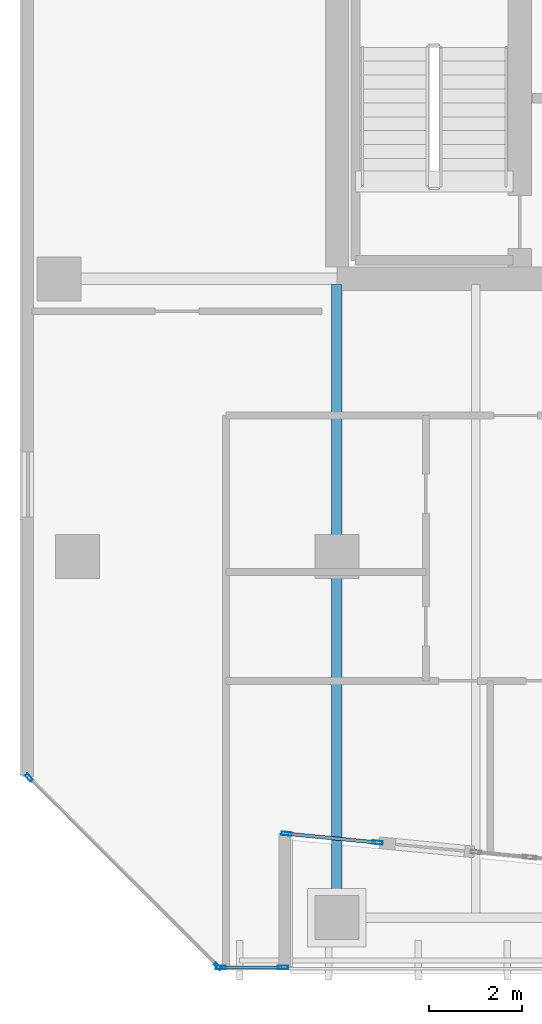
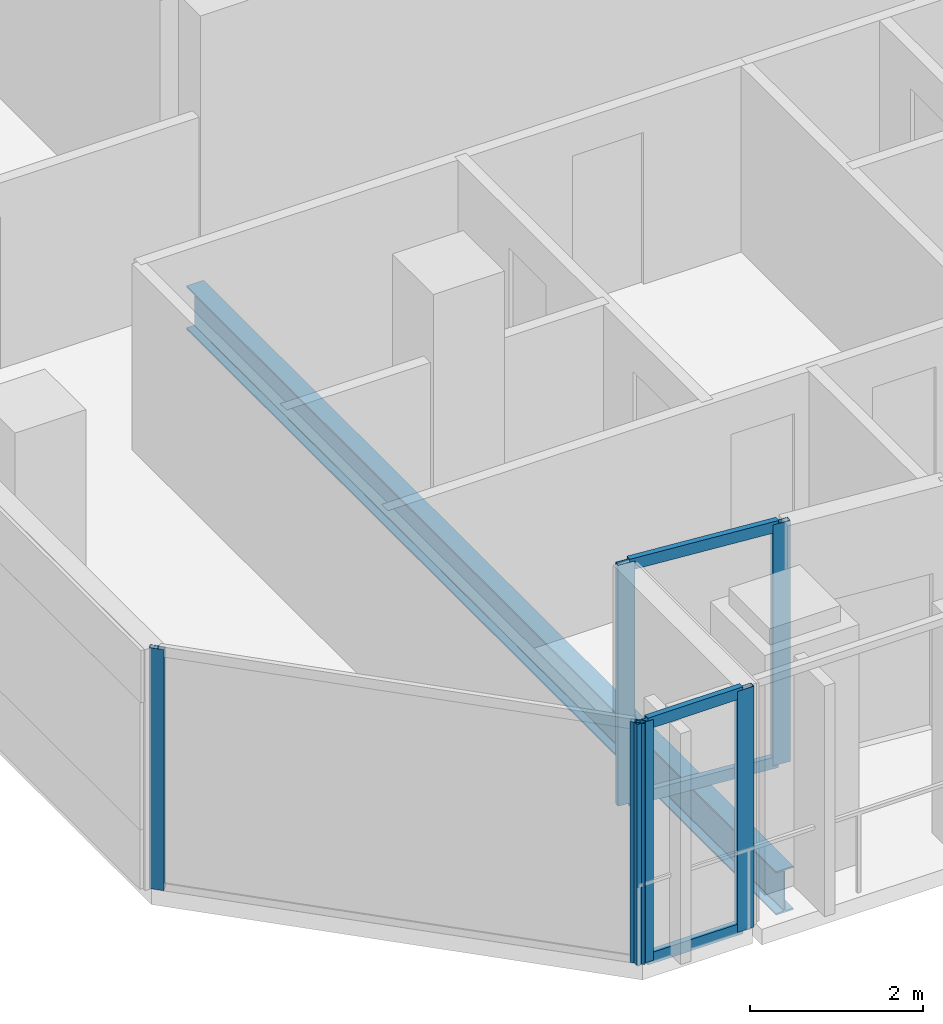
# One storey, part 2 of 39: 10 members, 1 beam, 3 elements without a shape of their own.
"""IFC4 building model written with IfcOpenShell, lengths in metres."""

from ifc_helpers import new_model, si_unit, direction, frame, origin, origin_2d, place, context, subcontext, project, spatial, hollow_rectangle, i_section, extrude, material, layer, layer_set, material_profile, profile_set, type_object, element, aggregate, save


model = new_model("IFC4")

# Units and contexts
model_context = context("Model", 3, precision=1e-05, world=origin(), true_north=direction((0.0, 1.0)))
body_context = subcontext(model_context, "Body", "Model", "MODEL_VIEW")
ifc_project = project(units=[si_unit("LENGTHUNIT", "METRE"), si_unit("AREAUNIT", "SQUARE_METRE"), si_unit("VOLUMEUNIT", "CUBIC_METRE"), si_unit("PLANEANGLEUNIT", "RADIAN"), si_unit("MASSUNIT", "GRAM", prefix="KILO")], contexts=[model_context])

# Site, building, storey
site_placement = place(None, origin())
site = spatial("IfcSite", under=ifc_project, at=site_placement, CompositionType="ELEMENT")
building_placement = place(site_placement, origin())
building = spatial("IfcBuilding", under=site, at=building_placement, Name="Tanjung Sevakor Pilgrim Tower", CompositionType="ELEMENT")
storey_placement = place(building_placement, frame((0.0, 0.0, 108.570068359375)))
storey = spatial("IfcBuildingStorey", under=building, at=storey_placement, Name="L30", CompositionType="ELEMENT", Elevation=108.570068359375)

# Beam
ifc_material_1 = material(Name="Steel S355J2", Category="steel")
ifc_material_profile_1 = material_profile(ifc_material_1, i_section(OverallWidth=0.230224609375, OverallDepth=0.6171875, WebThickness=0.01318359375, FlangeThickness=0.022216796875, FilletRadius=0.0126953125, at=origin_2d()))
ifc_profile_set_1 = profile_set([ifc_material_profile_1], Name="Steel S355J2")
beam_type = type_object("IfcBeamType", Name="BM-B-G3-UB_610x229x140", PredefinedType="BEAM", material=ifc_profile_set_1)
beam_placement = place(storey_placement, frame((24.0, 10.800048828125, -0.528564453125), z_axis=(0.0, 1.0, 0.0), x_axis=(-1.0, 0.0, 0.0)))
element("IfcBeam", 1, at=beam_placement, inside=storey, type_object=beam_type, Name="L30 MAIN Girder 001", PredefinedType="BEAM", context=body_context, shape_type="SweptSolid", body=[
    extrude(i_section(OverallWidth=0.230224609375, OverallDepth=0.6171875, WebThickness=0.01318359375, FlangeThickness=0.022216796875, FilletRadius=0.0126953125, at=origin_2d()), origin(), (0.0, 0.0, 1.0), 13.672607421875),
])

# Curtain wall, members
ifc_material_2 = material(Name="Aluminium 6063-T6 and Low-E Glass", Category="aluminium")
ifc_layer_1 = layer(ifc_material_2, 0.179931640625)
ifc_layer_set_1 = layer_set([ifc_layer_1], Name="CW-SYS-CHAM")
curtain_wall_type_1 = type_object("IfcCurtainWallType", Name="CW-SYS-CHAM", PredefinedType="NOTDEFINED", material=ifc_layer_set_1)
curtain_wall_1_placement = place(storey_placement, origin())
curtain_wall_1 = element("IfcCurtainWall", 2, at=curtain_wall_1_placement, inside=storey, type_object=curtain_wall_type_1, Name="L30 Curtain Wall CW-CHM-L30-MAIN-35", PredefinedType="NOTDEFINED")
ifc_material_3 = material(Name="Aluminium 6063-T6", Category="aluminium")
ifc_material_profile_2 = material_profile(ifc_material_3, hollow_rectangle(XDim=0.06494140625, YDim=0.179931640625, WallThickness=0.00390625, at=origin_2d()))
ifc_profile_set_2 = profile_set([ifc_material_profile_2], Name="Aluminium 6063-T6")
member_type_1 = type_object("IfcMemberType", Name="TYPE-CWM-1", PredefinedType="MULLION", material=ifc_profile_set_2)
member_1_placement = place(storey_placement, frame((17.347900390625, 13.828857421875, 0.0), z_axis=(0.0, 0.0, 1.0), x_axis=(0.707106781187, 0.707106781187, 0.0)))
member_1 = element("IfcMember", 3, at=member_1_placement, type_object=member_type_1, Name="CW-CHM mullion 1", PredefinedType="MULLION", context=body_context, shape_type="SweptSolid", body=[
    extrude(hollow_rectangle(XDim=0.06494140625, YDim=0.179931640625, WallThickness=0.00390625, at=origin_2d()), origin(), (0.0, 0.0, 1.0), 3.409912109375),
])
member_2_placement = place(storey_placement, frame((21.4287109375, 9.748046875, 0.0), z_axis=(0.0, 0.0, 1.0), x_axis=(0.707106781187, 0.707106781187, 0.0)))
member_2 = element("IfcMember", 4, at=member_2_placement, type_object=member_type_1, Name="CW-CHM mullion 2", PredefinedType="MULLION", context=body_context, shape_type="SweptSolid", body=[
    extrude(hollow_rectangle(XDim=0.06494140625, YDim=0.179931640625, WallThickness=0.00390625, at=origin_2d()), origin(), (0.0, 0.0, 1.0), 3.409912109375),
])
aggregate(curtain_wall_1, [member_1, member_2])

ifc_material_4 = material(Name="Aluminium 6063-T6 and Low-E Glass", Category="aluminium")
ifc_layer_2 = layer(ifc_material_4, 0.199951171875)
ifc_layer_set_2 = layer_set([ifc_layer_2], Name="CW-SYS-PRAY")
curtain_wall_type_2 = type_object("IfcCurtainWallType", Name="CW-SYS-PRAY", PredefinedType="NOTDEFINED", material=ifc_layer_set_2)
curtain_wall_2_placement = place(storey_placement, origin())
curtain_wall_2 = element("IfcCurtainWall", 5, at=curtain_wall_2_placement, inside=storey, type_object=curtain_wall_type_2, Name="L30 Curtain Wall CW-PRY-L30-0", PredefinedType="NOTDEFINED")
ifc_material_5 = material(Name="Aluminium 6063-T6", Category="aluminium")
ifc_material_profile_3 = material_profile(ifc_material_5, hollow_rectangle(XDim=0.074951171875, YDim=0.219970703125, WallThickness=0.0048828125, at=origin_2d()))
ifc_profile_set_3 = profile_set([ifc_material_profile_3], Name="Aluminium 6063-T6")
member_type_2 = type_object("IfcMemberType", Name="TYPE-CWM-2", PredefinedType="MULLION", material=ifc_profile_set_3)
member_3_placement = place(storey_placement, frame((21.4892578125, 9.72509765625, 0.0), z_axis=(0.0, 0.0, 1.0), x_axis=(0.0, 1.0, 0.0)))
member_3 = element("IfcMember", 6, at=member_3_placement, type_object=member_type_2, Name="CW-PRY mullion 1", PredefinedType="MULLION", context=body_context, shape_type="SweptSolid", body=[
    extrude(hollow_rectangle(XDim=0.074951171875, YDim=0.219970703125, WallThickness=0.0048828125, at=origin_2d()), origin(), (0.0, 0.0, 1.0), 3.409912109375),
])
member_4_placement = place(storey_placement, frame((22.83740234375, 9.72509765625, 0.0), z_axis=(0.0, 0.0, 1.0), x_axis=(0.0, 1.0, 0.0)))
member_4 = element("IfcMember", 7, at=member_4_placement, type_object=member_type_2, Name="CW-PRY mullion 2", PredefinedType="MULLION", context=body_context, shape_type="SweptSolid", body=[
    extrude(hollow_rectangle(XDim=0.074951171875, YDim=0.219970703125, WallThickness=0.0048828125, at=origin_2d()), origin(), (0.0, 0.0, 1.0), 3.409912109375),
])

curtain_wall_3_placement = place(storey_placement, origin())
curtain_wall_3 = element("IfcCurtainWall", 8, at=curtain_wall_3_placement, inside=storey, type_object=curtain_wall_type_2, Name="L30 Curtain Wall CW-PRY-L30-2A", PredefinedType="NOTDEFINED")
member_5_placement = place(storey_placement, frame((22.912353515625, 12.614013671875, 0.0), z_axis=(0.0, 0.0, 1.0), x_axis=(0.096634424913, 0.995319942492, 0.0)))
member_5 = element("IfcMember", 9, at=member_5_placement, type_object=member_type_2, Name="CW-PRY mullion 1", PredefinedType="MULLION", context=body_context, shape_type="SweptSolid", body=[
    extrude(hollow_rectangle(XDim=0.074951171875, YDim=0.219970703125, WallThickness=0.0048828125, at=origin_2d()), origin(), (0.0, 0.0, 1.0), 3.409912109375),
])
member_6_placement = place(storey_placement, frame((24.878173828125, 12.42333984375, 0.0), z_axis=(0.0, 0.0, 1.0), x_axis=(0.096634424913, 0.995319942492, 0.0)))
member_6 = element("IfcMember", 10, at=member_6_placement, type_object=member_type_2, Name="CW-PRY mullion 2", PredefinedType="MULLION", context=body_context, shape_type="SweptSolid", body=[
    extrude(hollow_rectangle(XDim=0.074951171875, YDim=0.219970703125, WallThickness=0.0048828125, at=origin_2d()), origin(), (0.0, 0.0, 1.0), 3.409912109375),
])

# Member
ifc_material_6 = material(Name="Aluminium 6063-T6", Category="aluminium")
ifc_material_profile_4 = material_profile(ifc_material_6, hollow_rectangle(XDim=0.074951171875, YDim=0.159912109375, WallThickness=0.00439453125, at=origin_2d()))
ifc_profile_set_4 = profile_set([ifc_material_profile_4], Name="Aluminium 6063-T6")
member_type_3 = type_object("IfcMemberType", Name="TYPE-CWT-2", PredefinedType="USERDEFINED", material=ifc_profile_set_4)
member_7_placement = place(storey_placement, frame((21.52685546875, 9.72509765625, 0.037353515625), z_axis=(1.0, 0.0, 0.0), x_axis=(0.0, 1.0, 0.0)))
member_7 = element("IfcMember", 11, at=member_7_placement, type_object=member_type_3, Name="CW-PRY transom 1.1", ObjectType="TRANSOM", PredefinedType="USERDEFINED", context=body_context, shape_type="SweptSolid", body=[
    extrude(hollow_rectangle(XDim=0.074951171875, YDim=0.159912109375, WallThickness=0.00439453125, at=origin_2d()), origin(), (0.0, 0.0, 1.0), 1.273193359375),
])

member_8_placement = place(storey_placement, frame((21.52685546875, 9.72509765625, 3.372314453125), z_axis=(1.0, 0.0, 0.0), x_axis=(0.0, 1.0, 0.0)))
member_8 = element("IfcMember", 12, at=member_8_placement, type_object=member_type_3, Name="CW-PRY transom 1.2", ObjectType="TRANSOM", PredefinedType="USERDEFINED", context=body_context, shape_type="SweptSolid", body=[
    extrude(hollow_rectangle(XDim=0.074951171875, YDim=0.159912109375, WallThickness=0.00439453125, at=origin_2d()), origin(), (0.0, 0.0, 1.0), 1.273193359375),
])

aggregate(curtain_wall_2, [member_3, member_4, member_7, member_8])

member_9_placement = place(storey_placement, frame((22.94970703125, 12.6103515625, 0.037353515625), z_axis=(0.995320559084, -0.0966280739, 0.0), x_axis=(0.0966280739, 0.995320559084, 0.0)))
member_9 = element("IfcMember", 13, at=member_9_placement, type_object=member_type_3, Name="CW-PRY transom 1.1", ObjectType="TRANSOM", PredefinedType="USERDEFINED", context=body_context, shape_type="SweptSolid", body=[
    extrude(hollow_rectangle(XDim=0.074951171875, YDim=0.159912109375, WallThickness=0.00439453125, at=origin_2d()), origin(), (0.0, 0.0, 1.0), 1.89990234375),
])

member_10_placement = place(storey_placement, frame((22.94970703125, 12.6103515625, 3.372314453125), z_axis=(0.995320559084, -0.0966280739, 0.0), x_axis=(0.0966280739, 0.995320559084, 0.0)))
member_10 = element("IfcMember", 14, at=member_10_placement, type_object=member_type_3, Name="CW-PRY transom 1.2", ObjectType="TRANSOM", PredefinedType="USERDEFINED", context=body_context, shape_type="SweptSolid", body=[
    extrude(hollow_rectangle(XDim=0.074951171875, YDim=0.159912109375, WallThickness=0.00439453125, at=origin_2d()), origin(), (0.0, 0.0, 1.0), 1.89990234375),
])

aggregate(curtain_wall_3, [member_5, member_6, member_9, member_10])

save(model, "model.ifc")
